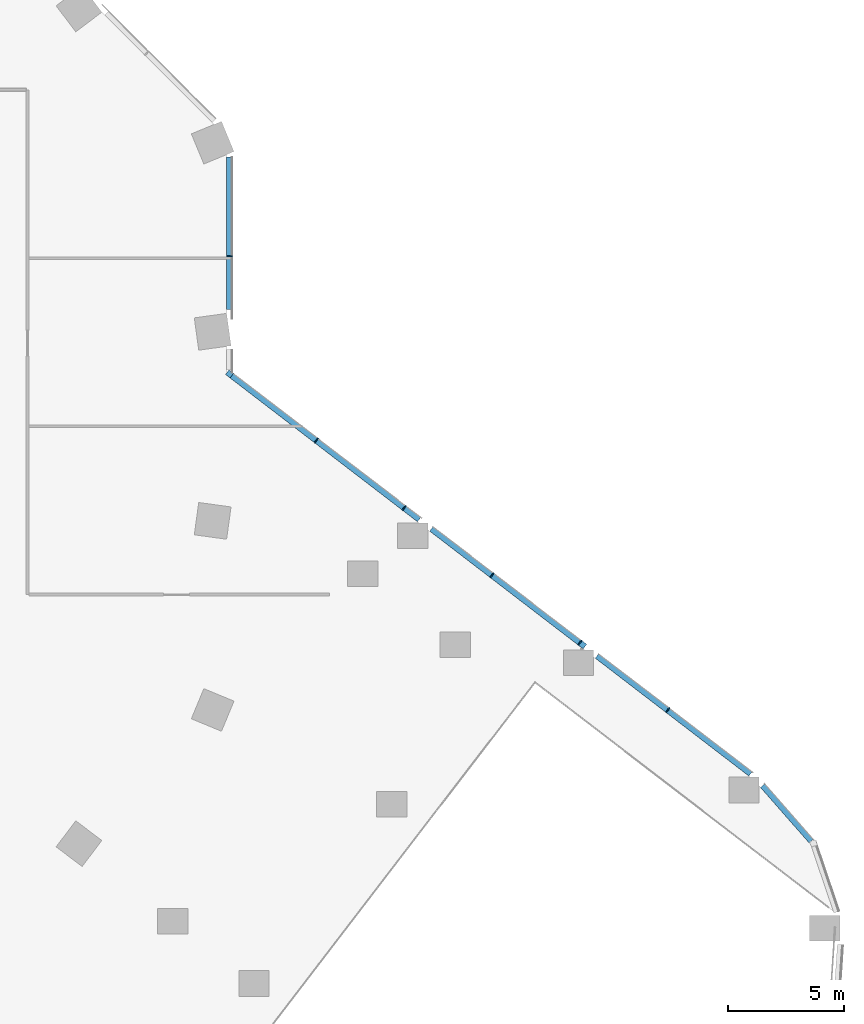
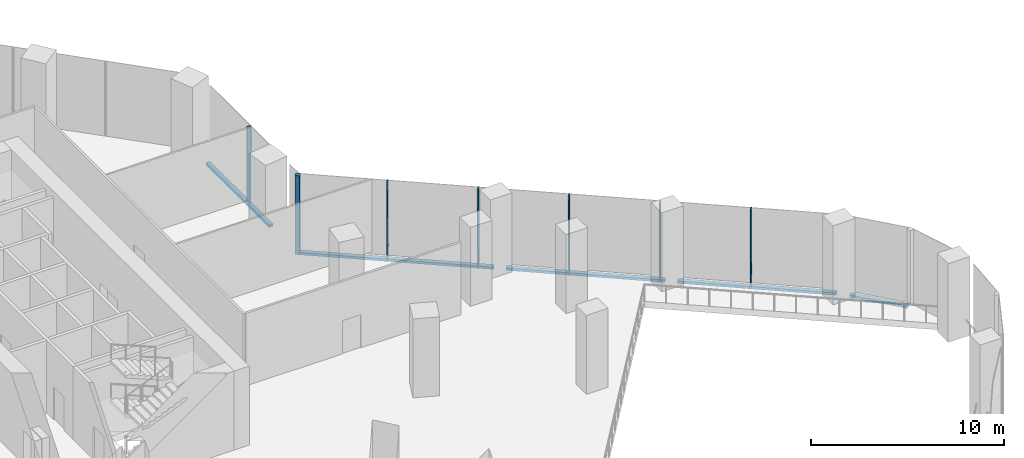
# One storey, part 9 of 29: 12 members, 3 elements without a shape of their own.
"""IFC4 building model written with IfcOpenShell, lengths in metres."""

from ifc_helpers import new_model, si_unit, direction, frame, origin, origin_2d, place, context, subcontext, project, spatial, rectangle, extrude, material, material_profile, profile_set, type_object, element, aggregate, save


model = new_model("IFC4")

# Units and contexts
model_context = context("Model", 3, precision=1e-05, world=origin(), true_north=direction((0.0, 1.0)))
body_context = subcontext(model_context, "Body", "Model", "MODEL_VIEW")
ifc_project = project(units=[si_unit("LENGTHUNIT", "METRE"), si_unit("AREAUNIT", "SQUARE_METRE"), si_unit("VOLUMEUNIT", "CUBIC_METRE"), si_unit("PLANEANGLEUNIT", "RADIAN"), si_unit("MASSUNIT", "GRAM", prefix="KILO")], contexts=[model_context])

# Site, building, storey
site_placement = place(None, origin())
site = spatial("IfcSite", under=ifc_project, at=site_placement, CompositionType="ELEMENT")
building_placement = place(site_placement, origin())
building = spatial("IfcBuilding", under=site, at=building_placement, Name="Orlundy Tower", CompositionType="ELEMENT")
storey_placement = place(building_placement, frame((0.0, 0.0, 15.5)))
storey = spatial("IfcBuildingStorey", under=building, at=storey_placement, Name="L02", CompositionType="ELEMENT", Elevation=15.5)

# Curtain wall, member
ifc_material_1 = material(Name="Aluminium bronze anodised", Category="aluminium")
curtain_wall_type = type_object("IfcCurtainWallType", Name="CW2 wall", PredefinedType="NOTDEFINED", material=ifc_material_1)
curtain_wall_1_placement = place(storey_placement, origin())
curtain_wall_1 = element("IfcCurtainWall", 1, at=curtain_wall_1_placement, inside=storey, type_object=curtain_wall_type, Name="CW2 run 018", PredefinedType="NOTDEFINED")
ifc_material_2 = material(Name="Aluminium bronze anodised", Category="aluminium")
ifc_material_profile_1 = material_profile(ifc_material_2, rectangle(XDim=0.25, YDim=0.25, at=origin_2d()), Name="CW2 corner post 250x250")
ifc_profile_set_1 = profile_set([ifc_material_profile_1], Name="Aluminium bronze anodised")
member_type_1 = type_object("IfcMemberType", Name="CW2 corner post 250x250", PredefinedType="MULLION", material=ifc_profile_set_1)
member_1_placement = place(storey_placement, frame((30.125, 2.251708984375, -0.39990234375), z_axis=(0.0, 0.0, 1.0), x_axis=(0.608778774146, 0.793340030598, 0.0)))
member_1 = element("IfcMember", 2, at=member_1_placement, type_object=member_type_1, Name="CW2 mullion 51", PredefinedType="MULLION", context=body_context, shape_type="SweptSolid", body=[
    extrude(rectangle(XDim=0.25, YDim=0.25, at=origin_2d()), origin(), (0.0, 0.0, 1.0), 5.0),
])

curtain_wall_2_placement = place(storey_placement, origin())
curtain_wall_2 = element("IfcCurtainWall", 3, at=curtain_wall_2_placement, inside=storey, type_object=curtain_wall_type, Name="CW2 run 017", PredefinedType="NOTDEFINED")
ifc_material_3 = material(Name="Aluminium bronze anodised", Category="aluminium")
ifc_material_profile_2 = material_profile(ifc_material_3, rectangle(XDim=0.25, YDim=0.050048828125, at=origin_2d()), Name="CW2 mullion 50x250")
ifc_profile_set_2 = profile_set([ifc_material_profile_2], Name="Aluminium bronze anodised")
member_type_2 = type_object("IfcMemberType", Name="CW2 mullion 50x250", PredefinedType="MULLION", material=ifc_profile_set_2)
member_2_placement = place(storey_placement, frame((30.125, 7.30810546875, -0.39990234375), z_axis=(0.0, 0.0, 1.0), x_axis=(1.0, 0.0, 0.0)))
member_2 = element("IfcMember", 4, at=member_2_placement, type_object=member_type_2, Name="CW2 mullion 50", PredefinedType="MULLION", context=body_context, shape_type="SweptSolid", body=[
    extrude(rectangle(XDim=0.25, YDim=0.050048828125, at=origin_2d()), origin(), (0.0, 0.0, 1.0), 5.0),
])

# Member
member_3_placement = place(storey_placement, frame((33.848876953125, -0.605712890625, -0.39990234375), z_axis=(0.0, 0.0, 1.0), x_axis=(0.608778774146, 0.793340030598, 0.0)))
member_3 = element("IfcMember", 5, at=member_3_placement, type_object=member_type_2, Name="CW2 mullion 52", PredefinedType="MULLION", context=body_context, shape_type="SweptSolid", body=[
    extrude(rectangle(XDim=0.25, YDim=0.050048828125, at=origin_2d()), origin(), (0.0, 0.0, 1.0), 5.0),
])

member_4_placement = place(storey_placement, frame((37.621337890625, -3.500732421875, -0.39990234375), z_axis=(0.0, 0.0, 1.0), x_axis=(0.608778774146, 0.793340030598, 0.0)))
member_4 = element("IfcMember", 6, at=member_4_placement, type_object=member_type_2, Name="CW2 mullion 53", PredefinedType="MULLION", context=body_context, shape_type="SweptSolid", body=[
    extrude(rectangle(XDim=0.25, YDim=0.050048828125, at=origin_2d()), origin(), (0.0, 0.0, 1.0), 5.0),
])

member_5_placement = place(storey_placement, frame((41.39404296875, -6.395751953125, -0.39990234375), z_axis=(0.0, 0.0, 1.0), x_axis=(0.608778774146, 0.793340030598, 0.0)))
member_5 = element("IfcMember", 7, at=member_5_placement, type_object=member_type_2, Name="CW2 mullion 54", PredefinedType="MULLION", context=body_context, shape_type="SweptSolid", body=[
    extrude(rectangle(XDim=0.25, YDim=0.050048828125, at=origin_2d()), origin(), (0.0, 0.0, 1.0), 5.0),
])

member_6_placement = place(storey_placement, frame((45.166748046875, -9.290771484375, -0.39990234375), z_axis=(0.0, 0.0, 1.0), x_axis=(0.608778774146, 0.793340030598, 0.0)))
member_6 = element("IfcMember", 8, at=member_6_placement, type_object=member_type_2, Name="CW2 mullion 55", PredefinedType="MULLION", context=body_context, shape_type="SweptSolid", body=[
    extrude(rectangle(XDim=0.25, YDim=0.050048828125, at=origin_2d()), origin(), (0.0, 0.0, 1.0), 5.0),
])

member_7_placement = place(storey_placement, frame((48.939453125, -12.185791015625, -0.39990234375), z_axis=(0.0, 0.0, 1.0), x_axis=(0.608778774146, 0.793340030598, 0.0)))
member_7 = element("IfcMember", 9, at=member_7_placement, type_object=member_type_2, Name="CW2 mullion 56", PredefinedType="MULLION", context=body_context, shape_type="SweptSolid", body=[
    extrude(rectangle(XDim=0.25, YDim=0.050048828125, at=origin_2d()), origin(), (0.0, 0.0, 1.0), 5.0),
])

ifc_material_4 = material(Name="Aluminium bronze anodised", Category="aluminium")
ifc_material_profile_3 = material_profile(ifc_material_4, rectangle(XDim=0.25, YDim=0.14990234375, at=origin_2d()), Name="CW2 transom 250x150")
ifc_profile_set_3 = profile_set([ifc_material_profile_3], Name="Aluminium bronze anodised")
member_type_3 = type_object("IfcMemberType", Name="CW2 transom 250x150", PredefinedType="USERDEFINED", material=ifc_profile_set_3)
member_8_placement = place(storey_placement, frame((30.125, 11.558349609375, -0.324951171875), z_axis=(0.0, -1.0, 0.0), x_axis=(1.0, 0.0, 0.0)))
member_8 = element("IfcMember", 10, at=member_8_placement, type_object=member_type_3, Name="CW2 transom", ObjectType="TRANSOM", PredefinedType="USERDEFINED", context=body_context, shape_type="SweptSolid", body=[
    extrude(rectangle(XDim=0.25, YDim=0.14990234375, at=origin_2d()), origin(), (0.0, 0.0, 1.0), 6.541259765625),
])

aggregate(curtain_wall_2, [member_2, member_8])

member_9_placement = place(storey_placement, frame((30.22412109375, 2.175537109375, -0.324951171875), z_axis=(0.793338529659, -0.608780730115, 0.0), x_axis=(0.608780730115, 0.793338529659, 0.0)))
member_9 = element("IfcMember", 11, at=member_9_placement, type_object=member_type_3, Name="CW2 transom", ObjectType="TRANSOM", PredefinedType="USERDEFINED", context=body_context, shape_type="SweptSolid", body=[
    extrude(rectangle(XDim=0.25, YDim=0.14990234375, at=origin_2d()), origin(), (0.0, 0.0, 1.0), 10.140869140625),
])

member_10_placement = place(storey_placement, frame((38.791015625, -4.398193359375, -0.324951171875), z_axis=(0.793330115925, -0.608791694396, 0.0), x_axis=(0.608791694396, 0.793330115925, 0.0)))
member_10 = element("IfcMember", 12, at=member_10_placement, type_object=member_type_3, Name="CW2 transom", ObjectType="TRANSOM", PredefinedType="USERDEFINED", context=body_context, shape_type="SweptSolid", body=[
    extrude(rectangle(XDim=0.25, YDim=0.14990234375, at=origin_2d()), origin(), (0.0, 0.0, 1.0), 8.3095703125),
])

member_11_placement = place(storey_placement, frame((45.904052734375, -9.8564453125, -0.324951171875), z_axis=(0.793333416806, -0.60878739292, 0.0), x_axis=(0.60878739292, 0.793333416806, 0.0)))
member_11 = element("IfcMember", 13, at=member_11_placement, type_object=member_type_3, Name="CW2 transom", ObjectType="TRANSOM", PredefinedType="USERDEFINED", context=body_context, shape_type="SweptSolid", body=[
    extrude(rectangle(XDim=0.25, YDim=0.14990234375, at=origin_2d()), origin(), (0.0, 0.0, 1.0), 8.309326171875),
])

aggregate(curtain_wall_1, [member_1, member_3, member_4, member_5, member_6, member_7, member_9, member_10, member_11])

# Curtain wall, member
curtain_wall_3_placement = place(storey_placement, origin())
curtain_wall_3 = element("IfcCurtainWall", 14, at=curtain_wall_3_placement, inside=storey, type_object=curtain_wall_type, Name="CW2 run 019", PredefinedType="NOTDEFINED")
member_12_placement = place(storey_placement, frame((53.01806640625, -15.426025390625, -0.324951171875), z_axis=(0.659302964392, -0.751877384381, 0.0), x_axis=(0.751877384381, 0.659302964392, 0.0)))
member_12 = element("IfcMember", 15, at=member_12_placement, type_object=member_type_3, Name="CW2 transom", ObjectType="TRANSOM", PredefinedType="USERDEFINED", context=body_context, shape_type="SweptSolid", body=[
    extrude(rectangle(XDim=0.25, YDim=0.14990234375, at=origin_2d()), origin(), (0.0, 0.0, 1.0), 3.159423828125),
])
aggregate(curtain_wall_3, [member_12])

save(model, "model.ifc")
